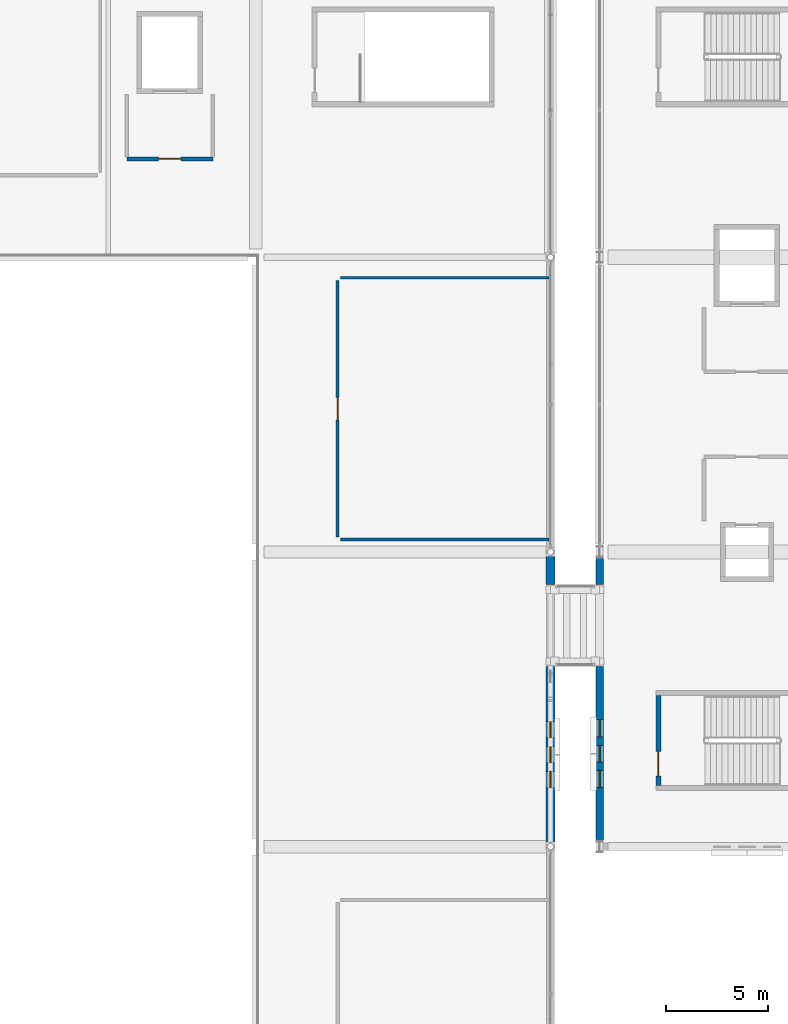
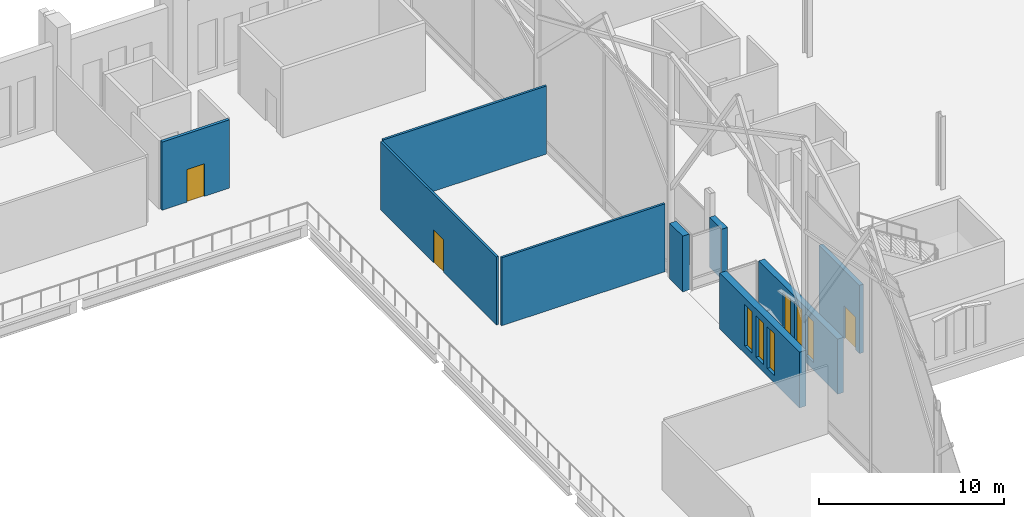
# One storey, part 157 of 220: 9 walls, 6 windows, 3 doors, 9 openings.
"""IFC4 building model written with IfcOpenShell, lengths in metres."""

from ifc_helpers import new_model, si_unit, direction, frame, frame_2d, origin, place, context, subcontext, project, spatial, rectangle, extrude, material, layer, layer_set, type_object, element, fill, save


model = new_model("IFC4")

# Units and contexts
model_context = context("Model", 3, precision=1e-05, world=origin(), true_north=direction((0.0, 1.0)))
body_context = subcontext(model_context, "Body", "Model", "MODEL_VIEW")
ifc_project = project(units=[si_unit("LENGTHUNIT", "METRE"), si_unit("AREAUNIT", "SQUARE_METRE"), si_unit("VOLUMEUNIT", "CUBIC_METRE"), si_unit("PLANEANGLEUNIT", "RADIAN"), si_unit("MASSUNIT", "GRAM", prefix="KILO")], contexts=[model_context])

# Site, building, storey
site_placement = place(None, origin())
site = spatial("IfcSite", under=ifc_project, at=site_placement, CompositionType="ELEMENT")
building_placement = place(site_placement, origin())
building = spatial("IfcBuilding", under=site, at=building_placement, Name="Cendralis Lancet Convention Centre", CompositionType="ELEMENT")
storey_placement = place(building_placement, frame((0.0, 0.0, 5.39990234375)))
storey = spatial("IfcBuildingStorey", under=building, at=storey_placement, Name="L01", CompositionType="ELEMENT", Elevation=5.39990234375)

# Wall, openings, windows
ifc_material_1 = material(Name="Buff sandstone ashlar and Concrete G40 (C40/50)", Category="masonry")
ifc_layer_1 = layer(ifc_material_1, 0.360107421875, Name="Buff sandstone ashlar and Concrete G40 (C40/50)")
ifc_layer_set_1 = layer_set([ifc_layer_1], Name="Buff sandstone ashlar and Concrete G40 (C40/50)")
wall_type_1 = type_object("IfcWallType", Name="ARC-EW-W360", PredefinedType="STANDARD", material=ifc_layer_set_1)
wall_1_placement = place(storey_placement, frame((124.800048828125, 93.883056640625, 0.0), z_axis=(0.0, 0.0, 1.0), x_axis=(0.0, 1.0, 0.0)))
wall_1 = element("IfcWall", 1, at=wall_1_placement, inside=storey, type_object=wall_type_1, Name="L01 V3 Exterior Wall EW-04 #0156", PredefinedType="STANDARD", context=body_context, shape_type="SweptSolid", body=[
    extrude(rectangle(XDim=8.516845703125, YDim=0.360107421875, at=frame_2d((4.25830078125, 0.0))), origin(), (0.0, 0.0, 1.0), 3.635009765625),
])
opening_1_placement = place(wall_1_placement, frame((2.598388671875, 0.0, 0.5)))
opening_1 = element("IfcOpeningElement", 2, at=opening_1_placement, cuts=wall_1, Name="Opening WN-15", PredefinedType="OPENING", context=body_context, shape_type="SweptSolid", body=[
    extrude(rectangle(XDim=0.840087890625, YDim=2.699951171875, at=frame_2d((0.419921875, 1.35009765625))), frame((0.0, 0.18994140625, 0.0), z_axis=(0.0, -1.0, 0.0), x_axis=(1.0, 0.0, 0.0)), (0.0, 0.0, 1.0), 0.380126953125),
])
opening_2_placement = place(wall_1_placement, frame((3.8583984375, 0.0, 0.5)))
opening_2 = element("IfcOpeningElement", 3, at=opening_2_placement, cuts=wall_1, Name="Opening WN-07", PredefinedType="OPENING", context=body_context, shape_type="SweptSolid", body=[
    extrude(rectangle(XDim=0.800048828125, YDim=2.75, at=frame_2d((0.39990234375, 1.375))), frame((0.0, 0.18994140625, 0.0), z_axis=(0.0, -1.0, 0.0), x_axis=(1.0, 0.0, 0.0)), (0.0, 0.0, 1.0), 0.380126953125),
])
opening_3_placement = place(wall_1_placement, frame((5.07861328125, 0.0, 0.5)))
opening_3 = element("IfcOpeningElement", 4, at=opening_3_placement, cuts=wall_1, Name="Opening WN-15", PredefinedType="OPENING", context=body_context, shape_type="SweptSolid", body=[
    extrude(rectangle(XDim=0.840087890625, YDim=2.699951171875, at=frame_2d((0.419921875, 1.35009765625))), frame((0.0, 0.18994140625, 0.0), z_axis=(0.0, -1.0, 0.0), x_axis=(1.0, 0.0, 0.0)), (0.0, 0.0, 1.0), 0.380126953125),
])
ifc_material_2 = material(Name="Double-glazed low-E solar-control glass", Category="glass")
window_type_1 = type_object("IfcWindowType", Name="ARC-WN-LW07", PartitioningType="SINGLE_PANEL", PredefinedType="WINDOW", material=ifc_material_2)
window_1_placement = place(opening_2_placement, origin())
window_1 = element("IfcWindow", 5, at=window_1_placement, inside=storey, type_object=window_type_1, Name="Gothic Lancet Window WN-07 #0306", OverallHeight=2.75, OverallWidth=0.800048828125, PartitioningType="SINGLE_PANEL", PredefinedType="WINDOW", context=body_context, shape_type="SweptSolid", body=[
    extrude(rectangle(XDim=0.800048828125, YDim=2.75, at=frame_2d((0.39990234375, 1.375))), frame((0.0, 0.030029296875, 0.0), z_axis=(0.0, -1.0, 0.0), x_axis=(1.0, 0.0, 0.0)), (0.0, 0.0, 1.0), 0.06005859375),
])
fill(opening_2, window_1)
window_type_2 = type_object("IfcWindowType", Name="ARC-WN-LW15", PartitioningType="SINGLE_PANEL", PredefinedType="WINDOW", material=ifc_material_2)
window_2_placement = place(opening_1_placement, origin())
window_2 = element("IfcWindow", 6, at=window_2_placement, inside=storey, type_object=window_type_2, Name="Gothic Lancet Window WN-15 #0305", OverallHeight=2.699951171875, OverallWidth=0.840087890625, PartitioningType="SINGLE_PANEL", PredefinedType="WINDOW", context=body_context, shape_type="SweptSolid", body=[
    extrude(rectangle(XDim=0.840087890625, YDim=2.699951171875, at=frame_2d((0.419921875, 1.35009765625))), frame((0.0, 0.030029296875, 0.0), z_axis=(0.0, -1.0, 0.0), x_axis=(1.0, 0.0, 0.0)), (0.0, 0.0, 1.0), 0.06005859375),
])
fill(opening_1, window_2)
window_3_placement = place(opening_3_placement, origin())
window_3 = element("IfcWindow", 7, at=window_3_placement, inside=storey, type_object=window_type_2, Name="Gothic Lancet Window WN-15 #0307", OverallHeight=2.699951171875, OverallWidth=0.840087890625, PartitioningType="SINGLE_PANEL", PredefinedType="WINDOW", context=body_context, shape_type="SweptSolid", body=[
    extrude(rectangle(XDim=0.840087890625, YDim=2.699951171875, at=frame_2d((0.419921875, 1.35009765625))), frame((0.0, 0.030029296875, 0.0), z_axis=(0.0, -1.0, 0.0), x_axis=(1.0, 0.0, 0.0)), (0.0, 0.0, 1.0), 0.06005859375),
])
fill(opening_3, window_3)

# Walls
wall_2_placement = place(storey_placement, frame((124.800048828125, 106.39990234375, 0.0), z_axis=(0.0, 0.0, 1.0), x_axis=(0.0, 1.0, 0.0)))
element("IfcWall", 8, at=wall_2_placement, inside=storey, type_object=wall_type_1, Name="L01 V3 Exterior Wall EW-04 #0157", PredefinedType="STANDARD", context=body_context, shape_type="SweptSolid", body=[
    extrude(rectangle(XDim=1.317138671875, YDim=0.360107421875, at=frame_2d((0.65869140625, 0.0))), origin(), (0.0, 0.0, 1.0), 3.28515625),
])
ifc_layer_2 = layer(ifc_material_1, 0.419921875, Name="Buff sandstone ashlar and Concrete G40 (C40/50)")
ifc_layer_set_2 = layer_set([ifc_layer_2], Name="Buff sandstone ashlar and Concrete G40 (C40/50)")
wall_type_2 = type_object("IfcWallType", Name="ARC-EW-W420", PredefinedType="STANDARD", material=ifc_layer_set_2)
wall_3_placement = place(storey_placement, frame((122.39990234375, 107.814208984375, 0.0), z_axis=(0.0, 0.0, 1.0), x_axis=(0.0, -1.0, 0.0)))
element("IfcWall", 9, at=wall_3_placement, inside=storey, type_object=wall_type_2, Name="L01 V1 Exterior Wall EW-01 #0064", PredefinedType="STANDARD", context=body_context, shape_type="SweptSolid", body=[
    extrude(rectangle(XDim=1.414306640625, YDim=0.419921875, at=frame_2d((0.70703125, 0.0))), origin(), (0.0, 0.0, 1.0), 3.68505859375),
])

# Wall, openings, windows
wall_4_placement = place(storey_placement, frame((122.39990234375, 102.39990234375, 0.0), z_axis=(0.0, 0.0, 1.0), x_axis=(0.0, -1.0, 0.0)))
wall_4 = element("IfcWall", 10, at=wall_4_placement, inside=storey, type_object=wall_type_2, Name="L01 V1 Exterior Wall EW-01 #0065", PredefinedType="STANDARD", context=body_context, shape_type="SweptSolid", body=[
    extrude(rectangle(XDim=8.614013671875, YDim=0.419921875, at=frame_2d((4.30712890625, 0.0))), origin(), (0.0, 0.0, 1.0), 3.68505859375),
])
opening_4_placement = place(wall_4_placement, frame((2.68701171875, 0.0, 0.5)))
opening_4 = element("IfcOpeningElement", 11, at=opening_4_placement, cuts=wall_4, Name="Opening WN-07", PredefinedType="OPENING", context=body_context, shape_type="SweptSolid", body=[
    extrude(rectangle(XDim=0.800048828125, YDim=2.75, at=frame_2d((0.39990234375, 1.375))), frame((0.0, 0.219970703125, 0.0), z_axis=(0.0, -1.0, 0.0), x_axis=(1.0, 0.0, 0.0)), (0.0, 0.0, 1.0), 0.43994140625),
])
opening_5_placement = place(wall_4_placement, frame((3.906982421875, 0.0, 0.5)))
opening_5 = element("IfcOpeningElement", 12, at=opening_5_placement, cuts=wall_4, Name="Opening WN-07", PredefinedType="OPENING", context=body_context, shape_type="SweptSolid", body=[
    extrude(rectangle(XDim=0.800048828125, YDim=2.75, at=frame_2d((0.39990234375, 1.375))), frame((0.0, 0.219970703125, 0.0), z_axis=(0.0, -1.0, 0.0), x_axis=(1.0, 0.0, 0.0)), (0.0, 0.0, 1.0), 0.43994140625),
])
opening_6_placement = place(wall_4_placement, frame((5.127197265625, 0.0, 0.5)))
opening_6 = element("IfcOpeningElement", 13, at=opening_6_placement, cuts=wall_4, Name="Opening WN-07", PredefinedType="OPENING", context=body_context, shape_type="SweptSolid", body=[
    extrude(rectangle(XDim=0.800048828125, YDim=2.75, at=frame_2d((0.39990234375, 1.375))), frame((0.0, 0.219970703125, 0.0), z_axis=(0.0, -1.0, 0.0), x_axis=(1.0, 0.0, 0.0)), (0.0, 0.0, 1.0), 0.43994140625),
])
window_4_placement = place(opening_4_placement, origin())
window_4 = element("IfcWindow", 14, at=window_4_placement, inside=storey, type_object=window_type_1, Name="Gothic Lancet Window WN-07 #0106", OverallHeight=2.75, OverallWidth=0.800048828125, PartitioningType="SINGLE_PANEL", PredefinedType="WINDOW", context=body_context, shape_type="SweptSolid", body=[
    extrude(rectangle(XDim=0.800048828125, YDim=2.75, at=frame_2d((0.39990234375, 1.375))), frame((0.0, 0.030029296875, 0.0), z_axis=(0.0, -1.0, 0.0), x_axis=(1.0, 0.0, 0.0)), (0.0, 0.0, 1.0), 0.06005859375),
])
fill(opening_4, window_4)
window_5_placement = place(opening_5_placement, origin())
window_5 = element("IfcWindow", 15, at=window_5_placement, inside=storey, type_object=window_type_1, Name="Gothic Lancet Window WN-07 #0107", OverallHeight=2.75, OverallWidth=0.800048828125, PartitioningType="SINGLE_PANEL", PredefinedType="WINDOW", context=body_context, shape_type="SweptSolid", body=[
    extrude(rectangle(XDim=0.800048828125, YDim=2.75, at=frame_2d((0.39990234375, 1.375))), frame((0.0, 0.030029296875, 0.0), z_axis=(0.0, -1.0, 0.0), x_axis=(1.0, 0.0, 0.0)), (0.0, 0.0, 1.0), 0.06005859375),
])
fill(opening_5, window_5)
window_6_placement = place(opening_6_placement, origin())
window_6 = element("IfcWindow", 16, at=window_6_placement, inside=storey, type_object=window_type_1, Name="Gothic Lancet Window WN-07 #0108", OverallHeight=2.75, OverallWidth=0.800048828125, PartitioningType="SINGLE_PANEL", PredefinedType="WINDOW", context=body_context, shape_type="SweptSolid", body=[
    extrude(rectangle(XDim=0.800048828125, YDim=2.75, at=frame_2d((0.39990234375, 1.375))), frame((0.0, 0.030029296875, 0.0), z_axis=(0.0, -1.0, 0.0), x_axis=(1.0, 0.0, 0.0)), (0.0, 0.0, 1.0), 0.06005859375),
])
fill(opening_6, window_6)

# Walls
ifc_material_3 = material(Name="Acoustic fire-rated gypsum board on steel studs", Category="steel")
ifc_layer_3 = layer(ifc_material_3, 0.139892578125, Name="Acoustic fire-rated gypsum board on steel studs")
ifc_layer_set_3 = layer_set([ifc_layer_3], Name="Acoustic fire-rated gypsum board on steel studs")
wall_type_3 = type_object("IfcWallType", Name="ARC-IW-P140", PredefinedType="PARTITIONING", material=ifc_layer_set_3)
for number, where, z_axis, x_axis, name in (
    (17, (112.139892578125, 108.60009765625, 0.0), (0.0, 0.0, 1.0), (1.0, 0.0, 0.0), "L01 Interior Partition IW-04 #0042"),
    (18, (112.139892578125, 121.39990234375, 0.0), (0.0, 0.0, 1.0), (1.0, 0.0, 0.0), "L01 Interior Partition IW-04 #0043"),
):
    element("IfcWall", number, at=place(storey_placement, frame(where, z_axis=z_axis, x_axis=x_axis)), inside=storey, type_object=wall_type_3, Name=name, PredefinedType="PARTITIONING", context=body_context, shape_type="SweptSolid", body=[
        extrude(rectangle(XDim=10.18017578125, YDim=0.139892578125, at=frame_2d((5.090087890625, 0.0))), origin(), (0.0, 0.0, 1.0), 4.485107421875),
    ])

# Wall, opening, door
wall_5_placement = place(storey_placement, frame((112.0, 108.739990234375, 0.0), z_axis=(0.0, 0.0, 1.0), x_axis=(0.0, 1.0, 0.0)))
wall_5 = element("IfcWall", 19, at=wall_5_placement, inside=storey, type_object=wall_type_3, Name="L01 Interior Partition IW-04 #0044", PredefinedType="PARTITIONING", context=body_context, shape_type="SweptSolid", body=[
    extrude(rectangle(XDim=12.52001953125, YDim=0.139892578125, at=frame_2d((6.260009765625, 0.0))), origin(), (0.0, 0.0, 1.0), 4.485107421875),
])
opening_7_placement = place(wall_5_placement, frame((5.7099609375, 0.0, 0.0)))
opening_7 = element("IfcOpeningElement", 20, at=opening_7_placement, cuts=wall_5, Name="Opening FD-11", PredefinedType="OPENING", context=body_context, shape_type="SweptSolid", body=[
    extrude(rectangle(XDim=1.10009765625, YDim=2.14990234375, at=frame_2d((0.550048828125, 1.074951171875))), frame((0.0, 0.079833984375, 0.0), z_axis=(0.0, -1.0, 0.0), x_axis=(1.0, 0.0, 0.0)), (0.0, 0.0, 1.0), 0.159912109375),
])
ifc_material_4 = material(Name="Steel S355", Category="steel")
door_type_1 = type_object("IfcDoorType", Name="ARC-DR-FF11", OperationType="NOTDEFINED", PredefinedType="DOOR", material=ifc_material_4)
door_1_placement = place(opening_7_placement, origin())
door_1 = element("IfcDoor", 21, at=door_1_placement, inside=storey, type_object=door_type_1, Name="L01-D007 L01 Interior Door FD-11 #0014", OperationType="SINGLE_SWING_LEFT", OverallHeight=2.14990234375, OverallWidth=1.10009765625, PredefinedType="DOOR", context=body_context, shape_type="SweptSolid", body=[
    extrude(rectangle(XDim=1.10009765625, YDim=2.14990234375, at=frame_2d((0.550048828125, 1.074951171875))), frame((0.0, 0.02490234375, 0.0), z_axis=(0.0, -1.0, 0.0), x_axis=(1.0, 0.0, 0.0)), (0.0, 0.0, 1.0), 0.050048828125),
])
fill(opening_7, door_1)

ifc_layer_4 = layer(ifc_material_3, 0.179931640625, Name="Acoustic fire-rated gypsum board on steel studs")
ifc_layer_set_4 = layer_set([ifc_layer_4], Name="Acoustic fire-rated gypsum board on steel studs")
wall_type_4 = type_object("IfcWallType", Name="ARC-IW-P180", PredefinedType="PARTITIONING", material=ifc_layer_set_4)
wall_6_placement = place(storey_placement, frame((105.89990234375, 127.199951171875, 0.0), z_axis=(0.0, 0.0, 1.0), x_axis=(-1.0, 0.0, 0.0)))
wall_6 = element("IfcWall", 22, at=wall_6_placement, inside=storey, type_object=wall_type_4, Name="L01 Lift Lobby LG-01 Front Wall", PredefinedType="PARTITIONING", context=body_context, shape_type="SweptSolid", body=[
    extrude(rectangle(XDim=4.199951171875, YDim=0.179931640625, at=frame_2d((2.10009765625, 0.0))), origin(), (0.0, 0.0, 1.0), 4.5),
])
opening_8_placement = place(wall_6_placement, frame((1.550048828125, 0.0, 0.0)))
opening_8 = element("IfcOpeningElement", 23, at=opening_8_placement, cuts=wall_6, Name="Opening FD-11", PredefinedType="OPENING", context=body_context, shape_type="SweptSolid", body=[
    extrude(rectangle(XDim=1.10009765625, YDim=2.14990234375, at=frame_2d((0.550048828125, 1.074951171875))), frame((0.0, 0.099853515625, 0.0), z_axis=(0.0, -1.0, 0.0), x_axis=(1.0, 0.0, 0.0)), (0.0, 0.0, 1.0), 0.199951171875),
])
door_2_placement = place(opening_8_placement, origin())
door_2 = element("IfcDoor", 24, at=door_2_placement, inside=storey, type_object=door_type_1, Name="L01-D056 L01 Lift Lobby LG-01 Fire Door", OperationType="SINGLE_SWING_LEFT", OverallHeight=2.14990234375, OverallWidth=1.10009765625, PredefinedType="DOOR", context=body_context, shape_type="SweptSolid", body=[
    extrude(rectangle(XDim=1.10009765625, YDim=2.14990234375, at=frame_2d((0.550048828125, 1.074951171875))), frame((0.0, 0.02490234375, 0.0), z_axis=(0.0, -1.0, 0.0), x_axis=(1.0, 0.0, 0.0)), (0.0, 0.0, 1.0), 0.050048828125),
])
fill(opening_8, door_2)

ifc_material_5 = material(Name="Concrete G40 (C40/50)", Category="concrete")
ifc_layer_5 = layer(ifc_material_5, 0.25, Name="Concrete G40 (C40/50)")
ifc_layer_set_5 = layer_set([ifc_layer_5], Name="Concrete G40 (C40/50)")
wall_type_5 = type_object("IfcWallType", Name="STR-SW-CW250", PredefinedType="SHEAR", material=ifc_layer_set_5)
wall_7_placement = place(storey_placement, frame((127.675048828125, 96.60009765625, 0.0), z_axis=(0.0, 0.0, 1.0), x_axis=(0.0, 1.0, 0.0)))
wall_7 = element("IfcWall", 25, at=wall_7_placement, inside=storey, type_object=wall_type_5, Name="L01 Stair Core ST-07 West Shear Wall", PredefinedType="SHEAR", context=body_context, shape_type="SweptSolid", body=[
    extrude(rectangle(XDim=4.3798828125, YDim=0.25, at=frame_2d((2.18994140625, 0.0))), origin(), (0.0, 0.0, 1.0), 4.5),
])
opening_9_placement = place(wall_7_placement, frame((0.449951171875, 0.0, 0.0)))
opening_9 = element("IfcOpeningElement", 26, at=opening_9_placement, cuts=wall_7, Name="Opening SD-12", PredefinedType="OPENING", context=body_context, shape_type="SweptSolid", body=[
    extrude(rectangle(XDim=1.199951171875, YDim=2.14990234375, at=frame_2d((0.60009765625, 1.074951171875))), frame((0.0, 0.135009765625, 0.0), z_axis=(0.0, -1.0, 0.0), x_axis=(1.0, 0.0, 0.0)), (0.0, 0.0, 1.0), 0.27001953125),
])
door_type_2 = type_object("IfcDoorType", Name="ARC-DR-ST12", OperationType="NOTDEFINED", PredefinedType="DOOR", material=ifc_material_4)
door_3_placement = place(opening_9_placement, frame((1.199951171875, 0.0, 0.0), z_axis=(0.0, 0.0, 1.0), x_axis=(-1.0, 0.0, 0.0)))
door_3 = element("IfcDoor", 27, at=door_3_placement, inside=storey, type_object=door_type_2, Name="L01-D074 L01 Exit Stair ST-07 Fire Door", OperationType="SINGLE_SWING_RIGHT", OverallHeight=2.14990234375, OverallWidth=1.199951171875, PredefinedType="DOOR", context=body_context, shape_type="SweptSolid", body=[
    extrude(rectangle(XDim=1.199951171875, YDim=2.14990234375, at=frame_2d((0.60009765625, 1.074951171875))), frame((0.0, 0.02490234375, 0.0), z_axis=(0.0, -1.0, 0.0), x_axis=(1.0, 0.0, 0.0)), (0.0, 0.0, 1.0), 0.050048828125),
])
fill(opening_9, door_3)

save(model, "model.ifc")
